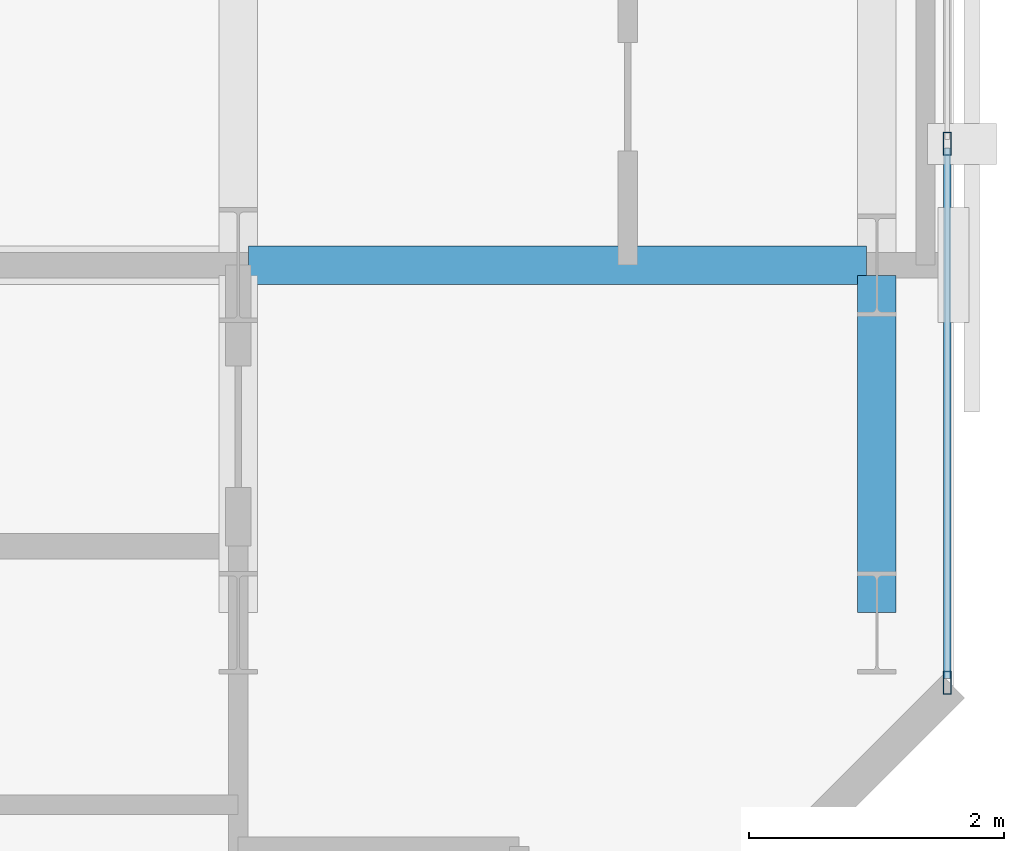
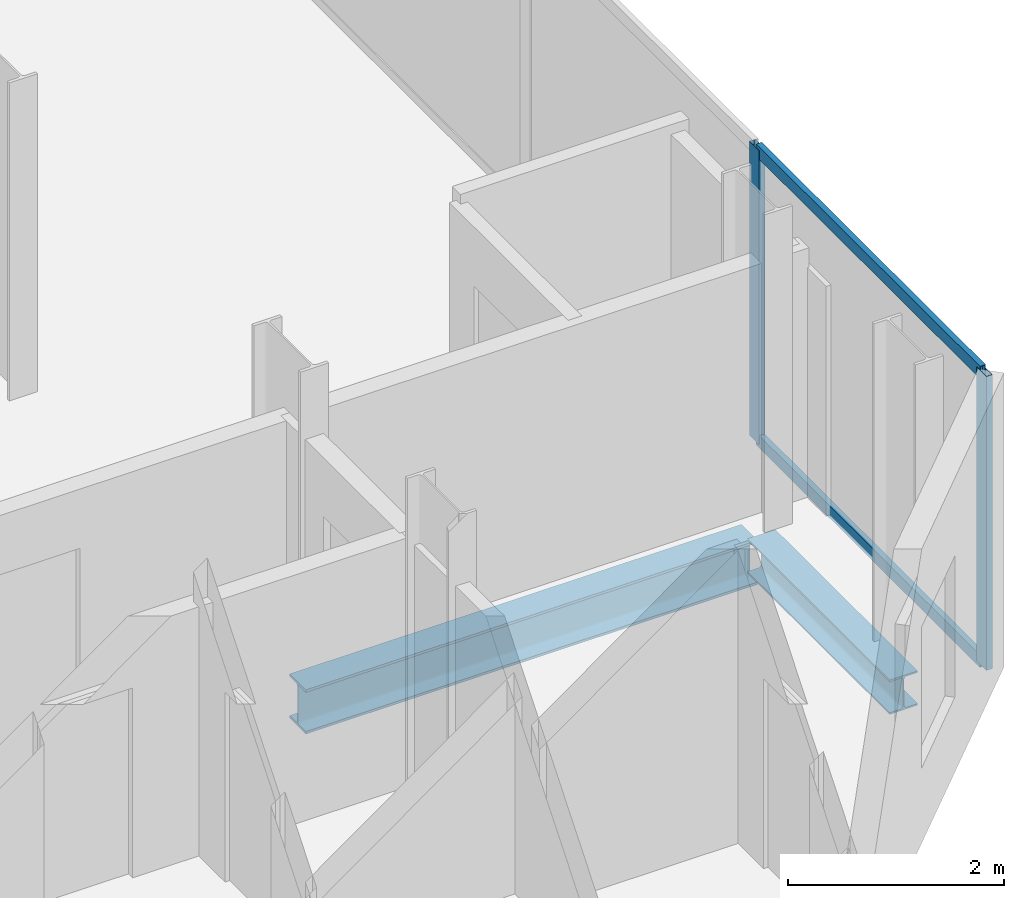
# One storey, part 17 of 33: 4 members, 2 beams, 1 element without a shape of its own.
"""IFC4 building model written with IfcOpenShell, lengths in metres."""

from ifc_helpers import new_model, si_unit, direction, frame, origin, origin_2d, place, context, subcontext, project, spatial, hollow_rectangle, i_section, extrude, material, layer, layer_set, material_profile, profile_set, type_object, element, aggregate, save


model = new_model("IFC4")

# Units and contexts
model_context = context("Model", 3, precision=1e-05, world=origin(), true_north=direction((0.0, 1.0)))
body_context = subcontext(model_context, "Body", "Model", "MODEL_VIEW")
ifc_project = project(units=[si_unit("LENGTHUNIT", "METRE"), si_unit("AREAUNIT", "SQUARE_METRE"), si_unit("VOLUMEUNIT", "CUBIC_METRE"), si_unit("PLANEANGLEUNIT", "RADIAN"), si_unit("MASSUNIT", "GRAM", prefix="KILO")], contexts=[model_context])

# Site, building, storey
site_placement = place(None, origin())
site = spatial("IfcSite", under=ifc_project, at=site_placement, CompositionType="ELEMENT")
building_placement = place(site_placement, origin())
building = spatial("IfcBuilding", under=site, at=building_placement, Name="Catumbela Crestline Tower", CompositionType="ELEMENT")
storey_placement = place(building_placement, frame((0.0, 0.0, 43.8)))
storey = spatial("IfcBuildingStorey", under=building, at=storey_placement, Name="L10", CompositionType="ELEMENT", Elevation=43.8)

# Beam
ifc_material_1 = material(Name="Structural steel S355J2", Category="steel")
ifc_material_profile_1 = material_profile(ifc_material_1, i_section(OverallWidth=0.3, OverallDepth=0.5, WebThickness=0.0145, FlangeThickness=0.028, FilletRadius=0.027, at=origin_2d()), Name="HEB 500")
ifc_profile_set_1 = profile_set([ifc_material_profile_1], Name="Structural steel S355J2")
beam_type_1 = type_object("IfcBeamType", Name="BG-HEB500", PredefinedType="BEAM", material=ifc_profile_set_1)
beam_1_placement = place(storey_placement, frame((50.48, 30.8, -0.51), z_axis=(1.0, 0.0, 0.0), x_axis=(0.0, 1.0, 0.0)))
element("IfcBeam", 1, at=beam_1_placement, inside=storey, type_object=beam_type_1, Name="L10 Beam BM-L10-M12", PredefinedType="BEAM", context=body_context, shape_type="SweptSolid", body=[
    extrude(i_section(OverallWidth=0.3, OverallDepth=0.5, WebThickness=0.0145, FlangeThickness=0.028, FilletRadius=0.027, at=origin_2d()), origin(), (0.0, 0.0, 1.0), 4.84),
])

# Curtain wall, members
ifc_material_2 = material(Name="Aluminium alloy AW-6060-T66", Category="aluminium")
ifc_layer = layer(ifc_material_2, 0.18, Name="Aluminium alloy AW-6060-T66")
ifc_layer_set = layer_set([ifc_layer], Name="Aluminium alloy AW-6060-T66")
curtain_wall_type = type_object("IfcCurtainWallType", Name="CWU-Z1", PredefinedType="USERDEFINED", material=ifc_layer_set)
curtain_wall_placement = place(storey_placement, origin())
curtain_wall = element("IfcCurtainWall", 2, at=curtain_wall_placement, inside=storey, type_object=curtain_wall_type, Name="L10 Unitised Curtain Wall CW-L10-E5S1", ObjectType="UNITISED", PredefinedType="USERDEFINED")
ifc_material_profile_2 = material_profile(ifc_material_2, hollow_rectangle(XDim=0.065, YDim=0.18, WallThickness=0.004, at=origin_2d()), Name="ALU 180x65x4")
ifc_profile_set_2 = profile_set([ifc_material_profile_2], Name="Aluminium alloy AW-6060-T66")
member_type_1 = type_object("IfcMemberType", Name="MUL-180X65", PredefinedType="MULLION", material=ifc_profile_set_2)
member_1_placement = place(storey_placement, frame((55.95, 27.5325, 0.0), z_axis=(0.0, 0.0, 1.0), x_axis=(-1.0, 0.0, 0.0)))
member_1 = element("IfcMember", 3, at=member_1_placement, type_object=member_type_1, Name="CWU-Z1 mullion 1", PredefinedType="MULLION", context=body_context, shape_type="SweptSolid", body=[
    extrude(hollow_rectangle(XDim=0.065, YDim=0.18, WallThickness=0.004, at=origin_2d()), origin(), (0.0, 0.0, 1.0), 3.33),
])
member_2_placement = place(storey_placement, frame((55.95, 31.75, 0.0), z_axis=(0.0, 0.0, 1.0), x_axis=(-1.0, 0.0, 0.0)))
member_2 = element("IfcMember", 4, at=member_2_placement, type_object=member_type_1, Name="CWU-Z1 mullion 2", PredefinedType="MULLION", context=body_context, shape_type="SweptSolid", body=[
    extrude(hollow_rectangle(XDim=0.065, YDim=0.18, WallThickness=0.004, at=origin_2d()), origin(), (0.0, 0.0, 1.0), 3.33),
])

# Beam
ifc_material_profile_3 = material_profile(ifc_material_1, i_section(OverallWidth=0.3, OverallDepth=0.39, WebThickness=0.011, FlangeThickness=0.019, FilletRadius=0.027, at=origin_2d()), Name="HEA 400")
ifc_profile_set_3 = profile_set([ifc_material_profile_3], Name="Structural steel S355J2")
beam_type_2 = type_object("IfcBeamType", Name="BS-HEA400", PredefinedType="SPANDREL", material=ifc_profile_set_3)
beam_2_placement = place(storey_placement, frame((55.4, 28.08, -0.455), z_axis=(0.0, 1.0, 0.0), x_axis=(-1.0, 0.0, 0.0)))
element("IfcBeam", 5, at=beam_2_placement, inside=storey, type_object=beam_type_2, Name="L10 Spandrel SP-L10-SN40", PredefinedType="SPANDREL", context=body_context, shape_type="SweptSolid", body=[
    extrude(i_section(OverallWidth=0.3, OverallDepth=0.39, WebThickness=0.011, FlangeThickness=0.019, FilletRadius=0.027, at=origin_2d()), origin(), (0.0, 0.0, 1.0), 2.64),
])

# Member
ifc_material_profile_4 = material_profile(ifc_material_2, hollow_rectangle(XDim=0.06, YDim=0.14, WallThickness=0.004, at=origin_2d()), Name="ALU 140x60x4")
ifc_profile_set_4 = profile_set([ifc_material_profile_4], Name="Aluminium alloy AW-6060-T66")
member_type_2 = type_object("IfcMemberType", Name="TRN-140X60", PredefinedType="USERDEFINED", material=ifc_profile_set_4)
member_3_placement = place(storey_placement, frame((55.95, 27.565, 0.03), z_axis=(0.0, 1.0, 0.0), x_axis=(-1.0, 0.0, 0.0)))
member_3 = element("IfcMember", 6, at=member_3_placement, type_object=member_type_2, Name="CWU-Z1 transom 1.1", ObjectType="TRANSOM", PredefinedType="USERDEFINED", context=body_context, shape_type="SweptSolid", body=[
    extrude(hollow_rectangle(XDim=0.06, YDim=0.14, WallThickness=0.004, at=origin_2d()), origin(), (0.0, 0.0, 1.0), 4.1525),
])

member_4_placement = place(storey_placement, frame((55.95, 27.565, 3.3), z_axis=(0.0, 1.0, 0.0), x_axis=(-1.0, 0.0, 0.0)))
member_4 = element("IfcMember", 7, at=member_4_placement, type_object=member_type_2, Name="CWU-Z1 transom 1.2", ObjectType="TRANSOM", PredefinedType="USERDEFINED", context=body_context, shape_type="SweptSolid", body=[
    extrude(hollow_rectangle(XDim=0.06, YDim=0.14, WallThickness=0.004, at=origin_2d()), origin(), (0.0, 0.0, 1.0), 4.1525),
])

aggregate(curtain_wall, [member_1, member_2, member_3, member_4])

save(model, "model.ifc")
